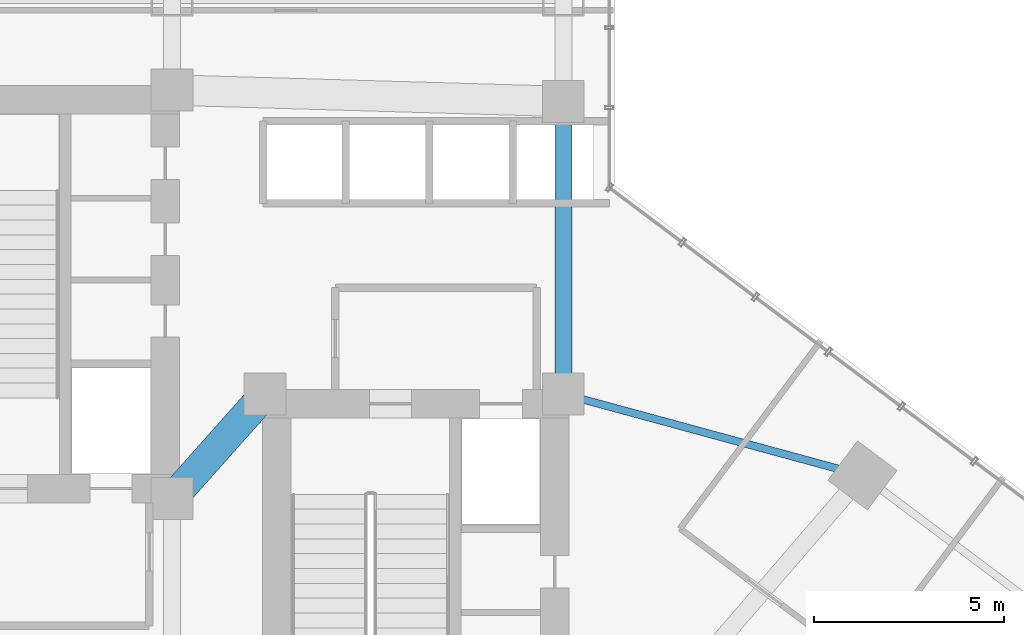
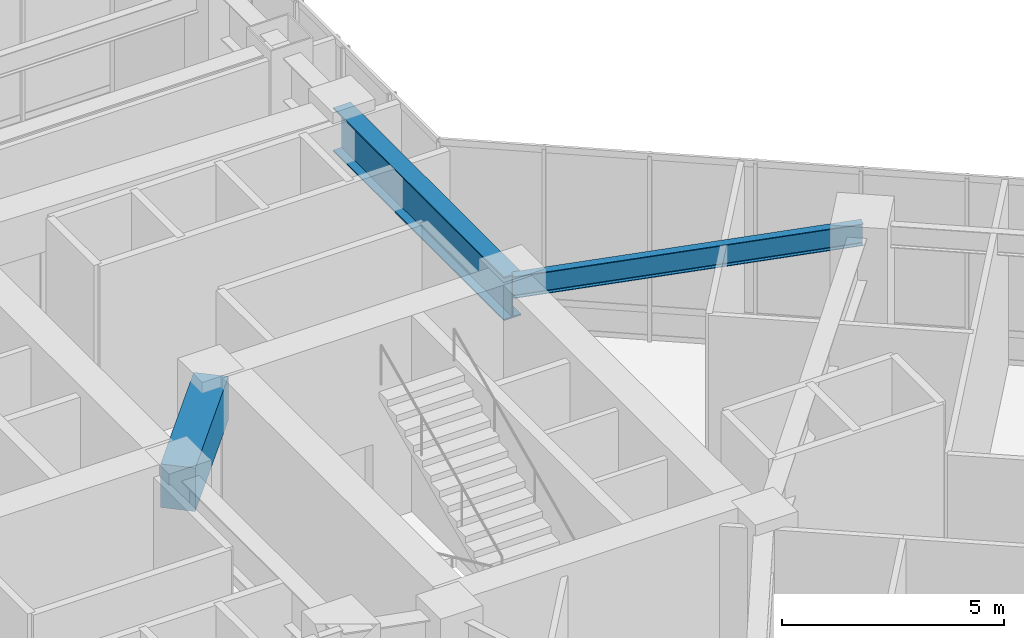
# One storey, part 19 of 35: 3 beams.
"""IFC4 building model written with IfcOpenShell, lengths in metres."""

from ifc_helpers import new_model, si_unit, direction, frame, origin, origin_2d, place, context, subcontext, project, spatial, rectangle, i_section, extrude, material, material_profile, profile_set, type_object, element, save


model = new_model("IFC4")

# Units and contexts
model_context = context("Model", 3, precision=1e-05, world=origin(), true_north=direction((0.0, 1.0)))
body_context = subcontext(model_context, "Body", "Model", "MODEL_VIEW")
ifc_project = project(units=[si_unit("LENGTHUNIT", "METRE"), si_unit("AREAUNIT", "SQUARE_METRE"), si_unit("VOLUMEUNIT", "CUBIC_METRE"), si_unit("PLANEANGLEUNIT", "RADIAN"), si_unit("MASSUNIT", "GRAM", prefix="KILO")], contexts=[model_context])

# Site, building, storey
site_placement = place(None, origin())
site = spatial("IfcSite", under=ifc_project, at=site_placement, CompositionType="ELEMENT")
building_placement = place(site_placement, origin())
building = spatial("IfcBuilding", under=site, at=building_placement, Name="Hatsunagi Terrace Concourse", CompositionType="ELEMENT")
storey_placement = place(building_placement, frame((0.0, 0.0, 10.800048828125)))
storey = spatial("IfcBuildingStorey", under=building, at=storey_placement, Name="L03", CompositionType="ELEMENT", Elevation=10.800048828125)

# Beams
ifc_material_1 = material(Name="Concrete Fc60", Category="concrete")
ifc_material_profile_1 = material_profile(ifc_material_1, rectangle(XDim=0.800048828125, YDim=1.199951171875, at=origin_2d()), Name="RC-800x1200")
ifc_profile_set_1 = profile_set([ifc_material_profile_1], Name="Concrete Fc60")
beam_type_1 = type_object("IfcBeamType", Name="CoreCouplingBeam_RC_800x1200", PredefinedType="BEAM", material=ifc_profile_set_1)
beam_1_placement = place(storey_placement, frame((33.35009765625, 32.550048828125, 4.5), z_axis=(0.665198651008, 0.746666427997, 0.0), x_axis=(-0.746666427997, 0.665198651008, 0.0)))
element("IfcBeam", 1, at=beam_1_placement, inside=storey, type_object=beam_type_1, Name="Beam CB-01 CB-L03-1", PredefinedType="BEAM", context=body_context, shape_type="SweptSolid", body=[
    extrude(rectangle(XDim=0.800048828125, YDim=1.199951171875, at=origin_2d()), origin(), (0.0, 0.0, 1.0), 3.68310546875),
])
ifc_material_2 = material(Name="Steel SN490B", Category="steel")
ifc_material_profile_2 = material_profile(ifc_material_2, i_section(OverallWidth=0.199951171875, OverallDepth=0.60009765625, WebThickness=0.010986328125, FlangeThickness=0.01708984375, FilletRadius=0.01806640625, at=origin_2d()), Name="H-600x200x11x17")
ifc_profile_set_2 = profile_set([ifc_material_profile_2], Name="Steel SN490B")
beam_type_2 = type_object("IfcBeamType", Name="PerimeterSpandrel_H_600x200", PredefinedType="SPANDREL", material=ifc_profile_set_2)
beam_2_placement = place(storey_placement, frame((43.64990234375, 35.300048828125, 4.800048828125), z_axis=(0.964958359286, -0.262403057994, 0.0), x_axis=(0.262403057994, 0.964958359286, 0.0)))
element("IfcBeam", 2, at=beam_2_placement, inside=storey, type_object=beam_type_2, Name="Beam SP-01 BM-L03-SE-NE0", PredefinedType="SPANDREL", context=body_context, shape_type="SweptSolid", body=[
    extrude(i_section(OverallWidth=0.199951171875, OverallDepth=0.60009765625, WebThickness=0.010986328125, FlangeThickness=0.01708984375, FilletRadius=0.01806640625, at=origin_2d()), origin(), (0.0, 0.0, 1.0), 8.156005859375),
])
ifc_material_3 = material(Name="Steel SN490B", Category="steel")
ifc_material_profile_3 = material_profile(ifc_material_3, i_section(OverallWidth=0.449951171875, OverallDepth=1.199951171875, WebThickness=0.02490234375, FlangeThickness=0.035888671875, at=origin_2d()), Name="BH-1200x450x25x36")
ifc_profile_set_3 = profile_set([ifc_material_profile_3], Name="Steel SN490B")
beam_type_3 = type_object("IfcBeamType", Name="PodiumHallGirder_BH_1200x450x25x36", PredefinedType="BEAM", material=ifc_profile_set_3)
beam_3_placement = place(storey_placement, frame((43.64990234375, 35.300048828125, 4.5), z_axis=(0.0, 1.0, 0.0), x_axis=(-1.0, 0.0, 0.0)))
element("IfcBeam", 3, at=beam_3_placement, inside=storey, type_object=beam_type_3, Name="Beam G-01 BM-L03-CBK3", PredefinedType="BEAM", context=body_context, shape_type="SweptSolid", body=[
    extrude(i_section(OverallWidth=0.449951171875, OverallDepth=1.199951171875, WebThickness=0.02490234375, FlangeThickness=0.035888671875, at=origin_2d()), origin(), (0.0, 0.0, 1.0), 7.699951171875),
])

save(model, "model.ifc")
